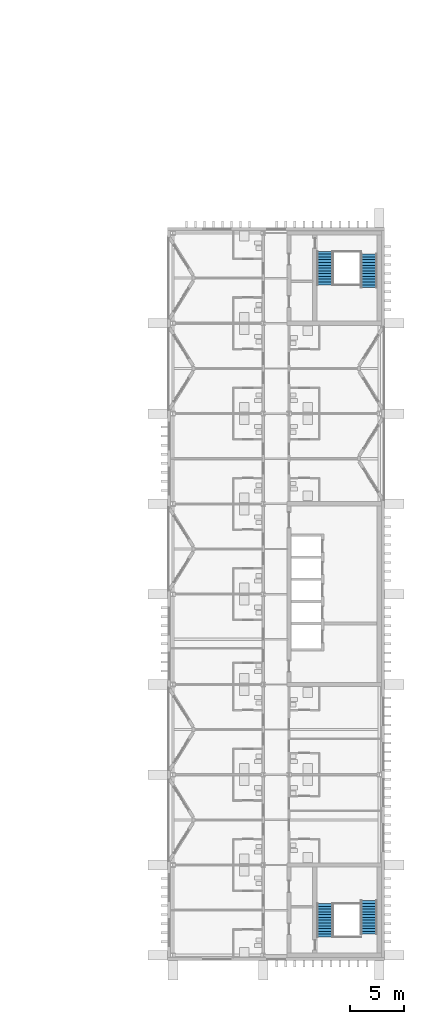
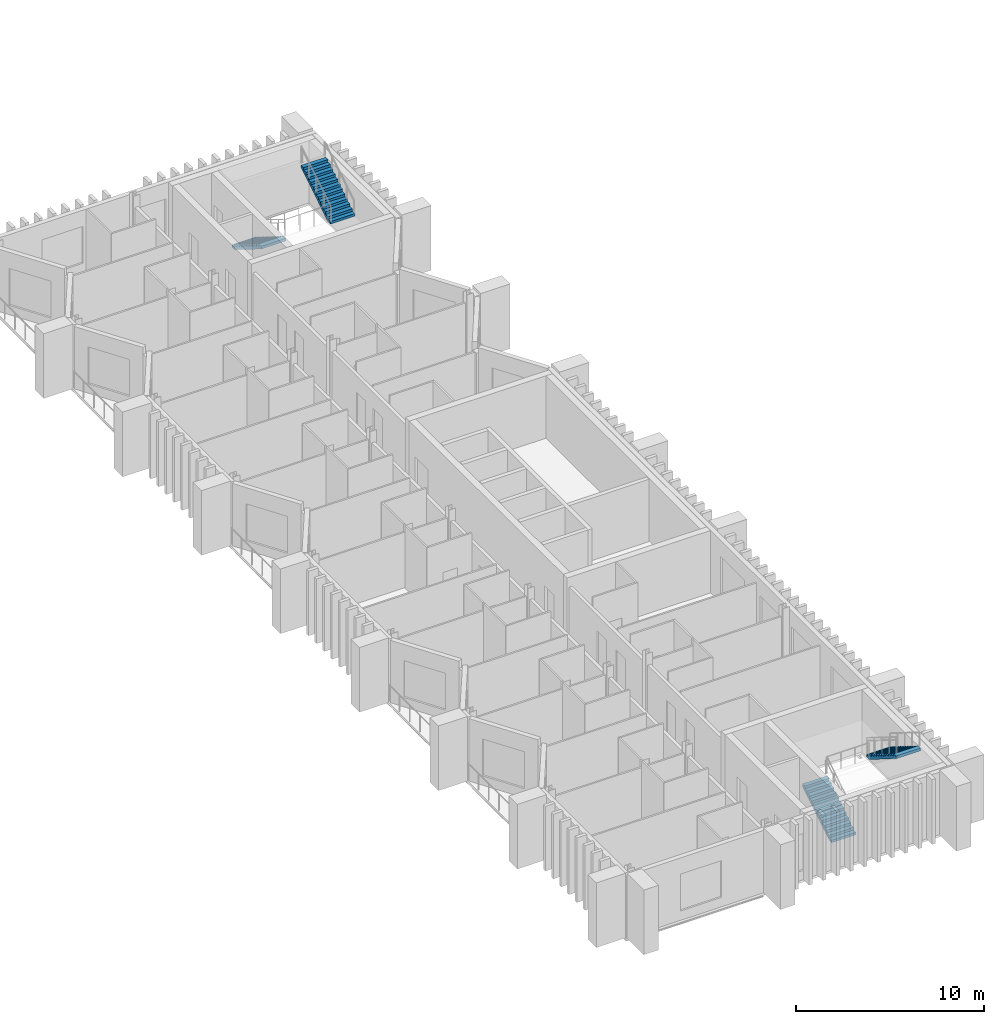
# One storey, part 16 of 18: 4 stair flights, 2 elements without a shape of their own.
"""IFC4 building model written with IfcOpenShell, lengths in metres."""

from ifc_helpers import new_model, si_unit, direction, frame, origin, place, context, subcontext, project, spatial, polyline, outline, extrude, material, type_object, element, aggregate, save


model = new_model("IFC4")

# Units and contexts
model_context = context("Model", 3, precision=1e-05, world=origin(), true_north=direction((0.0, 1.0)))
body_context = subcontext(model_context, "Body", "Model", "MODEL_VIEW")
ifc_project = project(units=[si_unit("LENGTHUNIT", "METRE"), si_unit("AREAUNIT", "SQUARE_METRE"), si_unit("VOLUMEUNIT", "CUBIC_METRE"), si_unit("PLANEANGLEUNIT", "RADIAN"), si_unit("MASSUNIT", "GRAM", prefix="KILO")], contexts=[model_context])

# Site, building, storey
site_placement = place(None, origin())
site = spatial("IfcSite", under=ifc_project, at=site_placement, CompositionType="ELEMENT")
building_placement = place(site_placement, origin())
building = spatial("IfcBuilding", under=site, at=building_placement, Name="Cresset Court Congress Hotel", CompositionType="ELEMENT")
storey_placement = place(building_placement, frame((0.0, 0.0, 35.39990234375)))
storey = spatial("IfcBuildingStorey", under=building, at=storey_placement, Name="L08", CompositionType="ELEMENT", Elevation=35.39990234375)

# Stair, stair flights
ifc_material_1 = material(Name="Concrete C40", Category="concrete")
stair_type = type_object("IfcStairType", Name="Concrete dog-leg stair 5600", PredefinedType="HALF_TURN_STAIR", material=ifc_material_1)
stair_1_placement = place(storey_placement, origin())
stair_1 = element("IfcStair", 1, at=stair_1_placement, inside=storey, type_object=stair_type, Name="Stair A1 L08", PredefinedType="HALF_TURN_STAIR")
ifc_material_2 = material(Name="Concrete C40", Category="concrete")
stair_flight_type = type_object("IfcStairFlightType", Name="Concrete stair flight", PredefinedType="STRAIGHT", material=ifc_material_2)
stair_flight_1_placement = place(storey_placement, frame((171.35009765625, 1.699951171875, 0.0), z_axis=(0.0, 0.0, 1.0), x_axis=(0.0, 1.0, 0.0)))
stair_flight_1 = element("IfcStairFlight", 2, at=stair_flight_1_placement, type_object=stair_flight_type, Name="A-ST1 flight 1", NumberOfRisers=13, NumberOfTreads=12, PredefinedType="STRAIGHT", RiserHeight=0.161538462, TreadLength=0.26, context=body_context, shape_type="SweptSolid", body=[
    extrude(outline(polyline([(0.0, 0.0), (0.0, 0.16162109375), (0.260009765625, 0.16162109375), (0.260009765625, 0.322998046875), (0.52001953125, 0.322998046875), (0.52001953125, 0.484619140625), (0.780029296875, 0.484619140625), (0.780029296875, 0.646240234375), (1.0400390625, 0.646240234375), (1.0400390625, 0.8076171875), (1.300048828125, 0.8076171875), (1.300048828125, 0.96923828125), (1.56005859375, 0.96923828125), (1.56005859375, 1.130859375), (1.820068359375, 1.130859375), (1.820068359375, 1.292236328125), (2.080078125, 1.292236328125), (2.080078125, 1.453857421875), (2.340087890625, 1.453857421875), (2.340087890625, 1.615478515625), (2.60009765625, 1.615478515625), (2.60009765625, 1.77685546875), (2.860107421875, 1.77685546875), (2.860107421875, 1.9384765625), (3.1201171875, 1.9384765625), (3.1201171875, 2.10009765625), (3.1201171875, 1.761962890625), (0.283935546875, 0.0), (0.0, 0.0)])), frame((0.0, 0.75, 0.0), z_axis=(0.0, -1.0, 0.0), x_axis=(1.0, 0.0, 0.0)), (0.0, 0.0, 1.0), 1.5),
])
stair_flight_2_placement = place(storey_placement, frame((175.449951171875, 5.080078125, 2.10009765625), z_axis=(0.0, 0.0, 1.0), x_axis=(0.0, -1.0, 0.0)))
stair_flight_2 = element("IfcStairFlight", 3, at=stair_flight_2_placement, type_object=stair_flight_type, Name="A-ST1 flight 2", NumberOfRisers=13, NumberOfTreads=12, PredefinedType="STRAIGHT", RiserHeight=0.161538462, TreadLength=0.26, context=body_context, shape_type="SweptSolid", body=[
    extrude(outline(polyline([(0.0, 0.0), (0.0, 0.16162109375), (0.260009765625, 0.16162109375), (0.260009765625, 0.322998046875), (0.52001953125, 0.322998046875), (0.52001953125, 0.484619140625), (0.780029296875, 0.484619140625), (0.780029296875, 0.646240234375), (1.0400390625, 0.646240234375), (1.0400390625, 0.8076171875), (1.300048828125, 0.8076171875), (1.300048828125, 0.96923828125), (1.56005859375, 0.96923828125), (1.56005859375, 1.130859375), (1.820068359375, 1.130859375), (1.820068359375, 1.292236328125), (2.080078125, 1.292236328125), (2.080078125, 1.453857421875), (2.340087890625, 1.453857421875), (2.340087890625, 1.615478515625), (2.60009765625, 1.615478515625), (2.60009765625, 1.77685546875), (2.860107421875, 1.77685546875), (2.860107421875, 1.9384765625), (3.1201171875, 1.9384765625), (3.1201171875, 2.10009765625), (3.1201171875, 1.761962890625), (0.283935546875, 0.0), (0.0, 0.0)])), frame((0.0, 0.75, 0.0), z_axis=(0.0, -1.0, 0.0), x_axis=(1.0, 0.0, 0.0)), (0.0, 0.0, 1.0), 1.5),
])
aggregate(stair_1, [stair_flight_1, stair_flight_2])

stair_2_placement = place(storey_placement, origin())
stair_2 = element("IfcStair", 4, at=stair_2_placement, inside=storey, type_object=stair_type, Name="Stair A2 L08", PredefinedType="HALF_TURN_STAIR")
stair_flight_3_placement = place(storey_placement, frame((171.35009765625, 65.5, 0.0), z_axis=(0.0, 0.0, 1.0), x_axis=(0.0, -1.0, 0.0)))
stair_flight_3 = element("IfcStairFlight", 5, at=stair_flight_3_placement, type_object=stair_flight_type, Name="A-ST1 flight 1", NumberOfRisers=13, NumberOfTreads=12, PredefinedType="STRAIGHT", RiserHeight=0.161538462, TreadLength=0.26, context=body_context, shape_type="SweptSolid", body=[
    extrude(outline(polyline([(0.0, 0.0), (0.0, 0.16162109375), (0.260009765625, 0.16162109375), (0.260009765625, 0.322998046875), (0.52001953125, 0.322998046875), (0.52001953125, 0.484619140625), (0.780029296875, 0.484619140625), (0.780029296875, 0.646240234375), (1.0400390625, 0.646240234375), (1.0400390625, 0.8076171875), (1.300048828125, 0.8076171875), (1.300048828125, 0.96923828125), (1.56005859375, 0.96923828125), (1.56005859375, 1.130859375), (1.820068359375, 1.130859375), (1.820068359375, 1.292236328125), (2.080078125, 1.292236328125), (2.080078125, 1.453857421875), (2.340087890625, 1.453857421875), (2.340087890625, 1.615478515625), (2.60009765625, 1.615478515625), (2.60009765625, 1.77685546875), (2.860107421875, 1.77685546875), (2.860107421875, 1.9384765625), (3.1201171875, 1.9384765625), (3.1201171875, 2.10009765625), (3.1201171875, 1.761962890625), (0.283935546875, 0.0), (0.0, 0.0)])), frame((0.0, 0.75, 0.0), z_axis=(0.0, -1.0, 0.0), x_axis=(1.0, 0.0, 0.0)), (0.0, 0.0, 1.0), 1.5),
])
stair_flight_4_placement = place(storey_placement, frame((175.449951171875, 62.1201171875, 2.10009765625), z_axis=(0.0, 0.0, 1.0), x_axis=(0.0, 1.0, 0.0)))
stair_flight_4 = element("IfcStairFlight", 6, at=stair_flight_4_placement, type_object=stair_flight_type, Name="A-ST1 flight 2", NumberOfRisers=13, NumberOfTreads=12, PredefinedType="STRAIGHT", RiserHeight=0.161538462, TreadLength=0.26, context=body_context, shape_type="SweptSolid", body=[
    extrude(outline(polyline([(0.0, 0.0), (0.0, 0.16162109375), (0.260009765625, 0.16162109375), (0.260009765625, 0.322998046875), (0.52001953125, 0.322998046875), (0.52001953125, 0.484619140625), (0.780029296875, 0.484619140625), (0.780029296875, 0.646240234375), (1.0400390625, 0.646240234375), (1.0400390625, 0.8076171875), (1.300048828125, 0.8076171875), (1.300048828125, 0.96923828125), (1.56005859375, 0.96923828125), (1.56005859375, 1.130859375), (1.820068359375, 1.130859375), (1.820068359375, 1.292236328125), (2.080078125, 1.292236328125), (2.080078125, 1.453857421875), (2.340087890625, 1.453857421875), (2.340087890625, 1.615478515625), (2.60009765625, 1.615478515625), (2.60009765625, 1.77685546875), (2.860107421875, 1.77685546875), (2.860107421875, 1.9384765625), (3.1201171875, 1.9384765625), (3.1201171875, 2.10009765625), (3.1201171875, 1.761962890625), (0.283935546875, 0.0), (0.0, 0.0)])), frame((0.0, 0.75, 0.0), z_axis=(0.0, -1.0, 0.0), x_axis=(1.0, 0.0, 0.0)), (0.0, 0.0, 1.0), 1.5),
])
aggregate(stair_2, [stair_flight_3, stair_flight_4])

save(model, "model.ifc")
